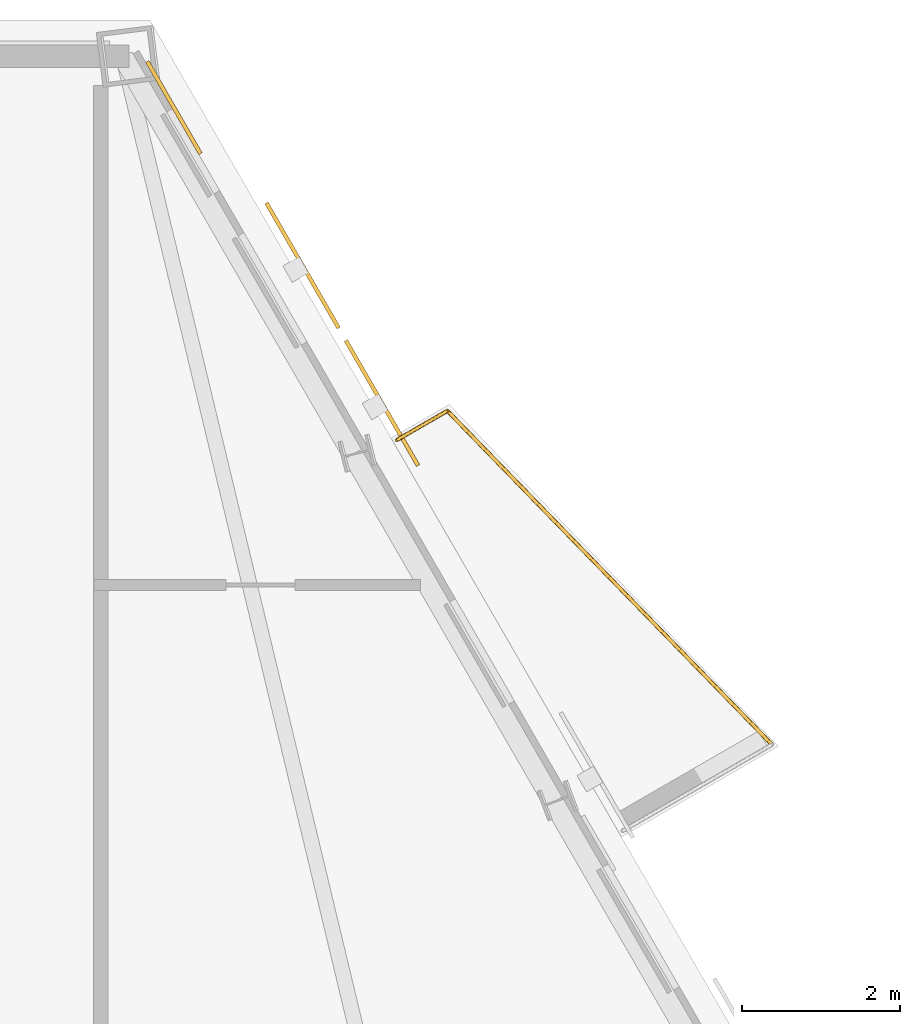
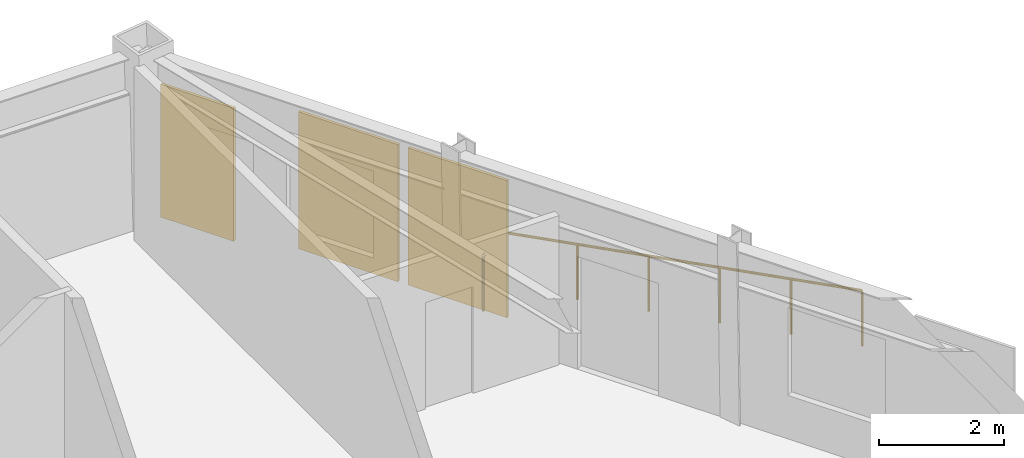
# One storey, part 9 of 9: 2 railings, 2 shading devices, 1 covering.
"""IFC4 building model written with IfcOpenShell, lengths in metres."""

from ifc_helpers import new_model, si_unit, direction, frame, origin, origin_2d, place, context, subcontext, project, spatial, rectangle, circle, extrude, material, layer, layer_set, type_object, element, save


model = new_model("IFC4")

# Units and contexts
model_context = context("Model", 3, precision=1e-05, world=origin(), true_north=direction((0.0, 1.0)))
body_context = subcontext(model_context, "Body", "Model", "MODEL_VIEW")
ifc_project = project(units=[si_unit("LENGTHUNIT", "METRE"), si_unit("AREAUNIT", "SQUARE_METRE"), si_unit("VOLUMEUNIT", "CUBIC_METRE"), si_unit("PLANEANGLEUNIT", "RADIAN"), si_unit("MASSUNIT", "GRAM", prefix="KILO")], contexts=[model_context])

# Site, building, storey
site_placement = place(None, origin())
site = spatial("IfcSite", under=ifc_project, at=site_placement, CompositionType="ELEMENT")
building_placement = place(site_placement, origin())
building = spatial("IfcBuilding", under=site, at=building_placement, Name="Oramaril Tower", CompositionType="ELEMENT")
storey_placement = place(building_placement, frame((0.0, 0.0, 201.0)))
storey = spatial("IfcBuildingStorey", under=building, at=storey_placement, Name="L53", CompositionType="ELEMENT", Elevation=201.0)

# Covering
ifc_material_1 = material(Name="Warm Cream Limestone", Category="masonry")
ifc_layer = layer(ifc_material_1, 0.050048828125)
ifc_layer_set = layer_set([ifc_layer], Name="CVT-CLD")
covering_type = type_object("IfcCoveringType", Name="CVT-CLD", PredefinedType="CLADDING", material=ifc_layer_set)
covering_placement = place(storey_placement, frame((41.729736328125, 42.54833984375, 0.0400390625), z_axis=(0.0, 0.0, 1.0), x_axis=(-0.5, 0.866025403784, 0.0)))
element("IfcCovering", 1, at=covering_placement, inside=storey, type_object=covering_type, Name="L53 Warm Cream Limestone Cladding", PredefinedType="CLADDING", context=body_context, shape_type="SweptSolid", body=[
    extrude(rectangle(XDim=1.35009765625, YDim=0.050048828125, at=origin_2d()), origin(), (0.0, 0.0, 1.0), 2.596923828125),
])

# Railings
ifc_material_2 = material(Name="Stainless Steel 316L", Category="steel")
railing_type = type_object("IfcRailingType", Name="RLT-GRD", PredefinedType="GUARDRAIL", material=ifc_material_2)
railing_1_placement = place(storey_placement, frame((44.55908203125, 38.328125, 0.0)))
element("IfcRailing", 2, at=railing_1_placement, inside=storey, type_object=railing_type, Name="L53 Balcony Guardrail L53-BAL-NE2.1", PredefinedType="GUARDRAIL", context=body_context, shape_type="SweptSolid", body=[
    extrude(circle(Radius=0.02392578125, at=origin_2d()), frame((0.0, 0.0, 1.076171875), z_axis=(0.865884080729, 0.500244698863, 0.0), x_axis=(-0.500244698863, 0.865884080729, 0.0)), (0.0, 0.0, 1.0), 0.741943359375),
    extrude(circle(Radius=0.02099609375, at=origin_2d()), origin(), (0.0, 0.0, 1.0), 1.052001953125),
    extrude(circle(Radius=0.02099609375, at=origin_2d()), frame((0.642333984375, 0.37109375, 0.0)), (0.0, 0.0, 1.0), 1.052001953125),
])
railing_2_placement = place(storey_placement, frame((45.201416015625, 38.69921875, 0.0)))
element("IfcRailing", 3, at=railing_2_placement, inside=storey, type_object=railing_type, Name="L53 Balcony Guardrail L53-BAL-NE2.2", PredefinedType="GUARDRAIL", context=body_context, shape_type="SweptSolid", body=[
    extrude(circle(Radius=0.02392578125, at=origin_2d()), frame((0.0, 0.0, 1.076171875), z_axis=(0.697186915353, -0.716889395277, 0.0), x_axis=(0.716889395277, 0.697186915353, 0.0)), (0.0, 0.0, 1.0), 5.91064453125),
    extrude(circle(Radius=0.02099609375, at=origin_2d()), origin(), (0.0, 0.0, 1.0), 1.052001953125),
    extrude(circle(Radius=0.02099609375, at=origin_2d()), frame((0.82421875, -0.847412109375, 0.0)), (0.0, 0.0, 1.0), 1.052001953125),
    extrude(circle(Radius=0.02099609375, at=origin_2d()), frame((1.6484375, -1.69482421875, 0.0)), (0.0, 0.0, 1.0), 1.052001953125),
    extrude(circle(Radius=0.02099609375, at=origin_2d()), frame((2.472412109375, -2.54248046875, 0.0)), (0.0, 0.0, 1.0), 1.052001953125),
    extrude(circle(Radius=0.02099609375, at=origin_2d()), frame((3.296630859375, -3.389892578125, 0.0)), (0.0, 0.0, 1.0), 1.052001953125),
    extrude(circle(Radius=0.02099609375, at=origin_2d()), frame((4.120849609375, -4.2373046875, 0.0)), (0.0, 0.0, 1.0), 1.052001953125),
])

# Shading devices
for number, where, z_axis, x_axis, name in (
    (4, (43.36279296875, 40.543701171875, -0.02001953125), (0.0, 0.0, 1.0), (-0.5, 0.866025403784, 0.0), "L53 Perforated Ceramic Solar Screen"),
    (5, (44.37060546875, 38.798095703125, -0.02001953125), (0.0, 0.0, 1.0), (-0.5, 0.866025403784, 0.0), "L53 Perforated Ceramic Solar Screen"),
):
    element("IfcShadingDevice", number, at=place(storey_placement, frame(where, z_axis=z_axis, x_axis=x_axis)), inside=storey, Name=name, ObjectType="SCREEN", PredefinedType="USERDEFINED", context=body_context, shape_type="SweptSolid", body=[
        extrude(rectangle(XDim=1.8330078125, YDim=0.050048828125, at=origin_2d()), origin(), (0.0, 0.0, 1.0), 2.677001953125),
    ])

save(model, "model.ifc")
